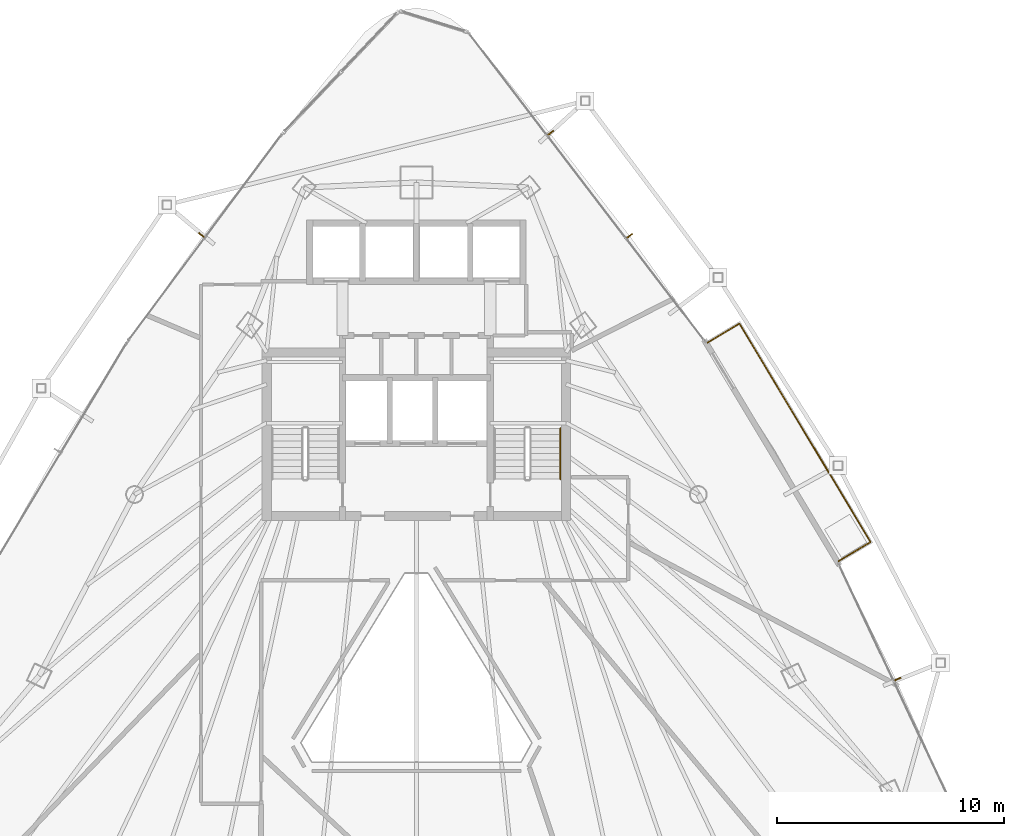
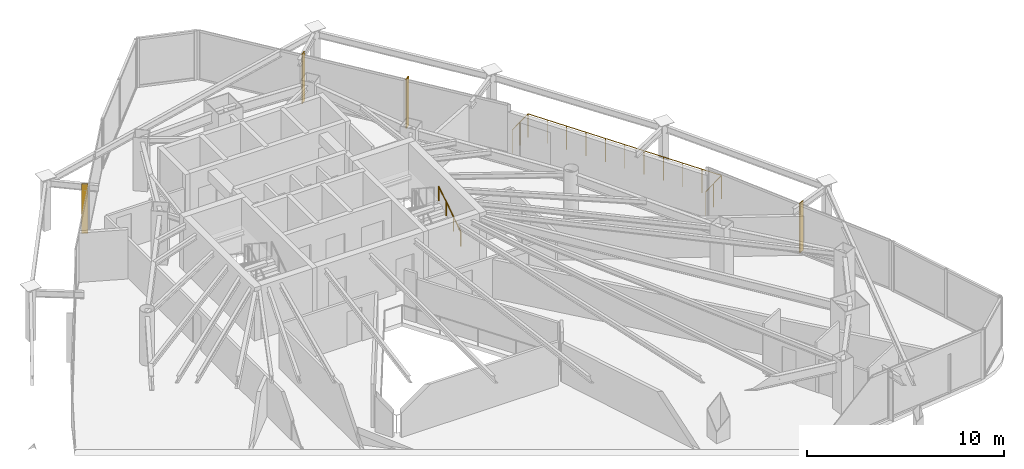
# One storey, part 31 of 31: 4 shading devices, 2 railings.
"""IFC4 building model written with IfcOpenShell, lengths in metres."""

from ifc_helpers import new_model, si_unit, direction, frame, origin, origin_2d, place, context, subcontext, project, spatial, rectangle, circle, extrude, material, layer, layer_set, type_object, element, save


model = new_model("IFC4")

# Units and contexts
model_context = context("Model", 3, precision=1e-05, world=origin(), true_north=direction((0.0, 1.0)))
body_context = subcontext(model_context, "Body", "Model", "MODEL_VIEW")
ifc_project = project(units=[si_unit("LENGTHUNIT", "METRE"), si_unit("AREAUNIT", "SQUARE_METRE"), si_unit("VOLUMEUNIT", "CUBIC_METRE"), si_unit("PLANEANGLEUNIT", "RADIAN"), si_unit("MASSUNIT", "GRAM", prefix="KILO")], contexts=[model_context])

# Site, building, storey
site_placement = place(None, origin())
site = spatial("IfcSite", under=ifc_project, at=site_placement, CompositionType="ELEMENT")
building_placement = place(site_placement, origin())
building = spatial("IfcBuilding", under=site, at=building_placement, Name="Orvanel Arch Residences", CompositionType="ELEMENT")
storey_placement = place(building_placement, frame((0.0, 0.0, 133.10009765625)))
storey = spatial("IfcBuildingStorey", under=building, at=storey_placement, Name="L37", CompositionType="ELEMENT", Elevation=133.10009765625)

# Shading devices
ifc_material_1 = material(Name="Bronze-anodised aluminium AA6063-T6", Category="aluminium")
ifc_layer = layer(ifc_material_1, 0.054931640625)
ifc_layer_set = layer_set([ifc_layer], Name="Bronze-anodised aluminium AA6063-T6")
shading_device_type = type_object("IfcShadingDeviceType", Name="FIN-BRZ-320", PredefinedType="USERDEFINED", material=ifc_layer_set)
for number, where, z_axis, x_axis, name in (
    (1, (23.52587890625, 39.077880859375, -0.000244140625), (0.0, 0.0, 1.0), (-0.801775644244, 0.597625146976, 0.0), "L37 Anodised Bronze Mullion FIN 01"),
    (2, (54.219970703125, 19.498046875, -0.000244140625), (0.0, 0.0, 1.0), (0.904827052466, 0.425779291565, 0.0), "L37 Anodised Bronze Mullion FIN 01"),
    (3, (42.40087890625, 39.0439453125, -0.000244140625), (0.0, 0.0, 1.0), (0.793353340291, 0.608761429009, 0.0), "L37 Anodised Bronze Mullion FIN 01"),
    (4, (38.919921875, 43.5859375, -0.000244140625), (0.0, 0.0, 1.0), (0.793353340291, 0.608761429009, 0.0), "L37 Anodised Bronze Mullion FIN 02"),
):
    element("IfcShadingDevice", number, at=place(storey_placement, frame(where, z_axis=z_axis, x_axis=x_axis)), inside=storey, type_object=shading_device_type, Name=name, ObjectType="FIN", PredefinedType="USERDEFINED", context=body_context, shape_type="SweptSolid", body=[
        extrude(rectangle(XDim=0.320068359375, YDim=0.054931640625, at=origin_2d()), origin(), (0.0, 0.0, 1.0), 3.06005859375),
    ])

# Railings
railing_type_1 = type_object("IfcRailingType", Name="RL-BAL-1480", PredefinedType="BALUSTRADE", material=ifc_material_1)
railing_1_placement = place(storey_placement, frame((51.618896484375, 24.697998046875, 0.0)))
element("IfcRailing", 5, at=railing_1_placement, inside=storey, type_object=railing_type_1, Name="L37 Balcony Perimeter Guardrail Face 3", PredefinedType="BALUSTRADE", context=body_context, shape_type="SweptSolid", body=[
    extrude(circle(Radius=0.02392578125, at=origin_2d()), frame((0.001220703125, 0.000732421875, 1.4560546875), z_axis=(0.857545439568, 0.514408222208, 0.0), x_axis=(-0.514408222208, 0.857545439568, 0.0)), (0.0, 0.0, 1.0), 1.6376953125),
    extrude(circle(Radius=0.02392578125, at=origin_2d()), frame((1.40625, 0.84521484375, 1.4560546875), z_axis=(-0.51440310195, 0.857548510992, 0.0), x_axis=(-0.857548510992, -0.51440310195, 0.0)), (0.0, 0.0, 1.0), 11.23486328125),
    extrude(circle(Radius=0.02392578125, at=origin_2d()), frame((-4.375, 10.480224609375, 1.4560546875), z_axis=(-0.857387817543, -0.514670895164, 0.0), x_axis=(0.514670895164, -0.857387817543, 0.0)), (0.0, 0.0, 1.0), 1.636962890625),
    extrude(circle(Radius=0.02099609375, at=origin_2d()), origin(), (0.0, 0.0, 1.0), 1.429931640625),
    extrude(circle(Radius=0.02099609375, at=origin_2d()), frame((0.70361328125, 0.421875, 0.0)), (0.0, 0.0, 1.0), 1.429931640625),
    extrude(circle(Radius=0.02099609375, at=origin_2d()), frame((1.406982421875, 0.843994140625, 0.0)), (0.0, 0.0, 1.0), 1.429931640625),
    extrude(circle(Radius=0.02099609375, at=origin_2d()), frame((0.828857421875, 1.8076171875, 0.0)), (0.0, 0.0, 1.0), 1.429931640625),
    extrude(circle(Radius=0.02099609375, at=origin_2d()), frame((0.250732421875, 2.771484375, 0.0)), (0.0, 0.0, 1.0), 1.429931640625),
    extrude(circle(Radius=0.02099609375, at=origin_2d()), frame((-0.3271484375, 3.735107421875, 0.0)), (0.0, 0.0, 1.0), 1.429931640625),
    extrude(circle(Radius=0.02099609375, at=origin_2d()), frame((-0.9052734375, 4.69873046875, 0.0)), (0.0, 0.0, 1.0), 1.429931640625),
    extrude(circle(Radius=0.02099609375, at=origin_2d()), frame((-1.4833984375, 5.66259765625, 0.0)), (0.0, 0.0, 1.0), 1.429931640625),
    extrude(circle(Radius=0.02099609375, at=origin_2d()), frame((-2.0615234375, 6.626220703125, 0.0)), (0.0, 0.0, 1.0), 1.429931640625),
    extrude(circle(Radius=0.02099609375, at=origin_2d()), frame((-2.6396484375, 7.58984375, 0.0)), (0.0, 0.0, 1.0), 1.429931640625),
    extrude(circle(Radius=0.02099609375, at=origin_2d()), frame((-3.217529296875, 8.553466796875, 0.0)), (0.0, 0.0, 1.0), 1.429931640625),
    extrude(circle(Radius=0.02099609375, at=origin_2d()), frame((-3.795654296875, 9.517333984375, 0.0)), (0.0, 0.0, 1.0), 1.429931640625),
    extrude(circle(Radius=0.02099609375, at=origin_2d()), frame((-4.373779296875, 10.48095703125, 0.0)), (0.0, 0.0, 1.0), 1.429931640625),
    extrude(circle(Radius=0.02099609375, at=origin_2d()), frame((-5.07666015625, 10.05908203125, 0.0)), (0.0, 0.0, 1.0), 1.429931640625),
    extrude(circle(Radius=0.02099609375, at=origin_2d()), frame((-5.77978515625, 9.636962890625, 0.0)), (0.0, 0.0, 1.0), 1.429931640625),
])
ifc_material_2 = material(Name="Structural steel AS/NZS 1163 C350L0 (Grade 350)", Category="steel")
railing_type_2 = type_object("IfcRailingType", Name="RL-STAIR-HAND", PredefinedType="HANDRAIL", material=ifc_material_2)
railing_2_placement = place(storey_placement, frame((39.35009765625, 28.320068359375, 0.183349609375)))
element("IfcRailing", 6, at=railing_2_placement, inside=storey, type_object=railing_type_2, Name="L37 ST-2 stair handrail 1", PredefinedType="HANDRAIL", context=body_context, shape_type="SweptSolid", body=[
    extrude(circle(Radius=0.02392578125, at=origin_2d()), frame((0.0, 0.001220703125, 0.876708984375), z_axis=(0.0, 0.836636935527, 0.547757827979), x_axis=(-1.0, 0.0, 0.0)), (0.0, 0.0, 1.0), 2.67431640625),
    extrude(circle(Radius=0.02099609375, at=origin_2d()), origin(), (0.0, 0.0, 1.0), 0.849853515625),
    extrude(circle(Radius=0.02099609375, at=origin_2d()), frame((0.0, 0.74658203125, 0.48876953125)), (0.0, 0.0, 1.0), 0.849853515625),
    extrude(circle(Radius=0.02099609375, at=origin_2d()), frame((0.0, 1.493408203125, 0.977783203125)), (0.0, 0.0, 1.0), 0.849853515625),
    extrude(circle(Radius=0.02099609375, at=origin_2d()), frame((0.0, 2.239990234375, 1.466552734375)), (0.0, 0.0, 1.0), 0.849853515625),
])

save(model, "model.ifc")
